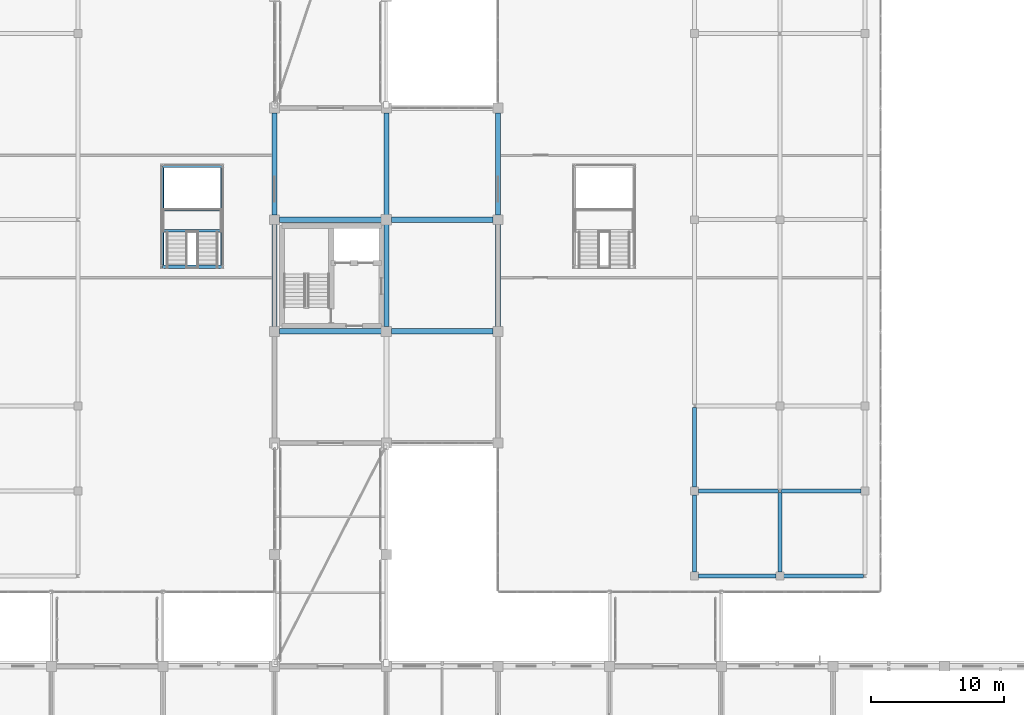
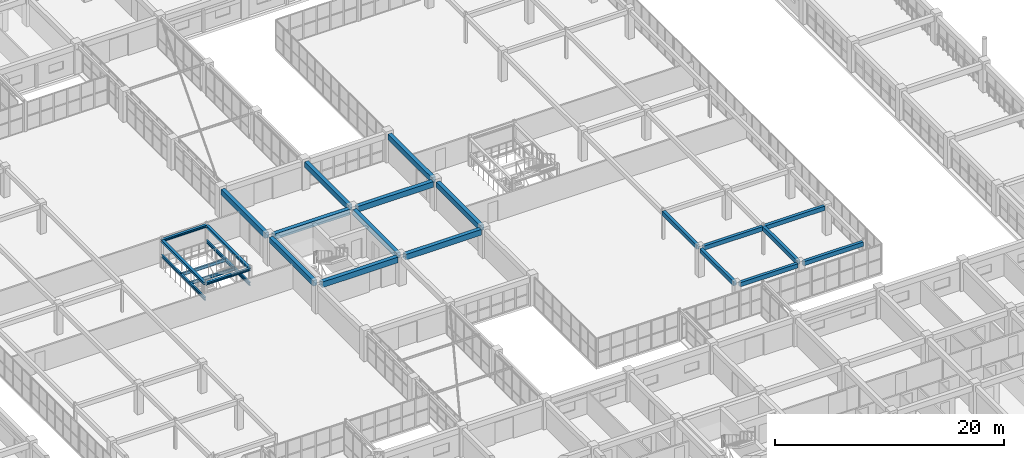
# One storey, part 68 of 200: 25 beams.
"""IFC4 building model written with IfcOpenShell, lengths in metres."""

from ifc_helpers import new_model, si_unit, direction, frame, origin, origin_2d, place, context, subcontext, project, spatial, rectangle, i_section, extrude, material, material_profile, profile_set, type_object, element, save


model = new_model("IFC4")

# Units and contexts
model_context = context("Model", 3, precision=1e-05, world=origin(), true_north=direction((0.0, 1.0)))
body_context = subcontext(model_context, "Body", "Model", "MODEL_VIEW")
ifc_project = project(units=[si_unit("LENGTHUNIT", "METRE"), si_unit("AREAUNIT", "SQUARE_METRE"), si_unit("VOLUMEUNIT", "CUBIC_METRE"), si_unit("PLANEANGLEUNIT", "RADIAN"), si_unit("MASSUNIT", "GRAM", prefix="KILO")], contexts=[model_context])

# Site, building, storey
site_placement = place(None, origin())
site = spatial("IfcSite", under=ifc_project, at=site_placement, CompositionType="ELEMENT")
building_placement = place(site_placement, origin())
building = spatial("IfcBuilding", under=site, at=building_placement, Name="Trelvath General Hospital", CompositionType="ELEMENT")
storey_placement = place(building_placement, frame((0.0, 0.0, 4.800048828125)))
storey = spatial("IfcBuildingStorey", under=building, at=storey_placement, Name="L01", CompositionType="ELEMENT", Elevation=4.800048828125)

# Beams
ifc_material_1 = material(Name="Concrete C35/45", Category="concrete")
ifc_material_profile_1 = material_profile(ifc_material_1, rectangle(XDim=0.300048828125, YDim=0.449951171875, at=origin_2d()), Name="RCB300x450")
ifc_profile_set_1 = profile_set([ifc_material_profile_1], Name="Concrete C35/45")
beam_type_1 = type_object("IfcBeamType", Name="Beam RC300x450", PredefinedType="BEAM", material=ifc_profile_set_1)
beam_1_placement = place(storey_placement, frame((107.49609375, 32.0, 2.8349609375), z_axis=(1.0, 0.0, 0.0), x_axis=(0.0, 1.0, 0.0)))
element("IfcBeam", 1, at=beam_1_placement, inside=storey, type_object=beam_type_1, Name="Cube Interior Ring Beam CUBE-E-T0 L01", PredefinedType="BEAM", context=body_context, shape_type="SweptSolid", body=[
    extrude(rectangle(XDim=0.300048828125, YDim=0.449951171875, at=origin_2d()), origin(), (0.0, 0.0, 1.0), 5.807861328125),
])
beam_2_placement = place(storey_placement, frame((113.89599609375, 32.0, 2.8349609375), z_axis=(1.0, 0.0, 0.0), x_axis=(0.0, 1.0, 0.0)))
element("IfcBeam", 2, at=beam_2_placement, inside=storey, type_object=beam_type_1, Name="Cube Interior Ring Beam CUBE-E-T0 L01", PredefinedType="BEAM", context=body_context, shape_type="SweptSolid", body=[
    extrude(rectangle(XDim=0.300048828125, YDim=0.449951171875, at=origin_2d()), origin(), (0.0, 0.0, 1.0), 5.998046875),
])
beam_3_placement = place(storey_placement, frame((107.49609375, 38.39990234375, 2.8349609375), z_axis=(1.0, 0.0, 0.0), x_axis=(0.0, 1.0, 0.0)))
element("IfcBeam", 3, at=beam_3_placement, inside=storey, type_object=beam_type_1, Name="Cube Interior Ring Beam CUBE-E-T0 L01", PredefinedType="BEAM", context=body_context, shape_type="SweptSolid", body=[
    extrude(rectangle(XDim=0.300048828125, YDim=0.449951171875, at=origin_2d()), origin(), (0.0, 0.0, 1.0), 5.997802734375),
])
beam_4_placement = place(storey_placement, frame((113.7060546875, 38.39990234375, 2.8349609375), z_axis=(1.0, 0.0, 0.0), x_axis=(0.0, 1.0, 0.0)))
element("IfcBeam", 4, at=beam_4_placement, inside=storey, type_object=beam_type_1, Name="Cube Interior Ring Beam CUBE-E-T0 L01", PredefinedType="BEAM", context=body_context, shape_type="SweptSolid", body=[
    extrude(rectangle(XDim=0.300048828125, YDim=0.449951171875, at=origin_2d()), origin(), (0.0, 0.0, 1.0), 5.998046875),
])
beam_5_placement = place(storey_placement, frame((107.199951171875, 32.2958984375, 2.8349609375), z_axis=(0.0, 1.0, 0.0), x_axis=(-1.0, 0.0, 0.0)))
element("IfcBeam", 5, at=beam_5_placement, inside=storey, type_object=beam_type_1, Name="Cube Interior Ring Beam CUBE-E-T0 L01", PredefinedType="BEAM", context=body_context, shape_type="SweptSolid", body=[
    extrude(rectangle(XDim=0.300048828125, YDim=0.449951171875, at=origin_2d()), origin(), (0.0, 0.0, 1.0), 5.80810546875),
])
for number, where, z_axis, x_axis, name in (
    (6, (107.199951171875, 38.696044921875, 2.8349609375), (0.0, 1.0, 0.0), (-1.0, 0.0, 0.0), "Cube Interior Ring Beam CUBE-E-T0 L01"),
    (7, (113.60009765625, 32.2958984375, 2.8349609375), (0.0, 1.0, 0.0), (-1.0, 0.0, 0.0), "Cube Interior Ring Beam CUBE-E-T0 L01"),
):
    element("IfcBeam", number, at=place(storey_placement, frame(where, z_axis=z_axis, x_axis=x_axis)), inside=storey, type_object=beam_type_1, Name=name, PredefinedType="BEAM", context=body_context, shape_type="SweptSolid", body=[
        extrude(rectangle(XDim=0.300048828125, YDim=0.449951171875, at=origin_2d()), origin(), (0.0, 0.0, 1.0), 5.998046875),
    ])
ifc_material_2 = material(Name="Concrete C35/45", Category="concrete")
ifc_material_profile_2 = material_profile(ifc_material_2, rectangle(XDim=0.3798828125, YDim=0.580078125, at=origin_2d()), Name="RCB380x580")
ifc_profile_set_2 = profile_set([ifc_material_profile_2], Name="Concrete C35/45")
beam_type_2 = type_object("IfcBeamType", Name="Beam RC380x580", PredefinedType="BEAM", material=ifc_profile_set_2)
beam_6_placement = place(storey_placement, frame((75.60009765625, 50.77001953125, 2.72998046875), z_axis=(0.0, 1.0, 0.0), x_axis=(-1.0, 0.0, 0.0)))
element("IfcBeam", 8, at=beam_6_placement, inside=storey, type_object=beam_type_2, Name="Grid Beam BY-109G", PredefinedType="BEAM", context=body_context, shape_type="SweptSolid", body=[
    extrude(rectangle(XDim=0.3798828125, YDim=0.580078125, at=origin_2d()), origin(), (0.0, 0.0, 1.0), 7.659912109375),
])
beam_7_placement = place(storey_placement, frame((75.60009765625, 59.169921875, 2.72998046875), z_axis=(0.0, 1.0, 0.0), x_axis=(-1.0, 0.0, 0.0)))
element("IfcBeam", 9, at=beam_7_placement, inside=storey, type_object=beam_type_2, Name="Grid Beam BY-109H", PredefinedType="BEAM", context=body_context, shape_type="SweptSolid", body=[
    extrude(rectangle(XDim=0.3798828125, YDim=0.580078125, at=origin_2d()), origin(), (0.0, 0.0, 1.0), 7.66015625),
])
beam_8_placement = place(storey_placement, frame((84.0, 50.77490234375, 2.72998046875), z_axis=(0.0, 1.0, 0.0), x_axis=(-1.0, 0.0, 0.0)))
element("IfcBeam", 10, at=beam_8_placement, inside=storey, type_object=beam_type_2, Name="Grid Beam BY-110G", PredefinedType="BEAM", context=body_context, shape_type="SweptSolid", body=[
    extrude(rectangle(XDim=0.3798828125, YDim=0.580078125, at=origin_2d()), origin(), (0.0, 0.0, 1.0), 7.650146484375),
])
beam_9_placement = place(storey_placement, frame((84.0, 59.175048828125, 2.72998046875), z_axis=(0.0, 1.0, 0.0), x_axis=(-1.0, 0.0, 0.0)))
element("IfcBeam", 11, at=beam_9_placement, inside=storey, type_object=beam_type_2, Name="Grid Beam BY-110H", PredefinedType="BEAM", context=body_context, shape_type="SweptSolid", body=[
    extrude(rectangle(XDim=0.3798828125, YDim=0.580078125, at=origin_2d()), origin(), (0.0, 0.0, 1.0), 7.655029296875),
])
beam_10_placement = place(storey_placement, frame((92.39990234375, 50.77001953125, 2.72998046875), z_axis=(0.0, 1.0, 0.0), x_axis=(-1.0, 0.0, 0.0)))
element("IfcBeam", 12, at=beam_10_placement, inside=storey, type_object=beam_type_2, Name="Grid Beam BY-111G", PredefinedType="BEAM", context=body_context, shape_type="SweptSolid", body=[
    extrude(rectangle(XDim=0.3798828125, YDim=0.580078125, at=origin_2d()), origin(), (0.0, 0.0, 1.0), 7.659912109375),
])
beam_11_placement = place(storey_placement, frame((92.39990234375, 59.169921875, 2.72998046875), z_axis=(0.0, 1.0, 0.0), x_axis=(-1.0, 0.0, 0.0)))
element("IfcBeam", 13, at=beam_11_placement, inside=storey, type_object=beam_type_2, Name="Grid Beam BY-111H", PredefinedType="BEAM", context=body_context, shape_type="SweptSolid", body=[
    extrude(rectangle(XDim=0.3798828125, YDim=0.580078125, at=origin_2d()), origin(), (0.0, 0.0, 1.0), 7.66015625),
])
ifc_material_3 = material(Name="Concrete C35/45", Category="concrete")
ifc_material_profile_3 = material_profile(ifc_material_3, rectangle(XDim=0.39990234375, YDim=0.60009765625, at=origin_2d()), Name="RCB400x600")
ifc_profile_set_3 = profile_set([ifc_material_profile_3], Name="Concrete C35/45")
beam_type_3 = type_object("IfcBeamType", Name="Beam RC400x600", PredefinedType="BEAM", material=ifc_profile_set_3)
for number, where, z_axis, x_axis, name in (
    (14, (75.969970703125, 50.39990234375, 2.719970703125), (1.0, 0.0, 0.0), (0.0, 1.0, 0.0), "Grid Beam BX-109G"),
    (15, (75.969970703125, 58.800048828125, 2.719970703125), (1.0, 0.0, 0.0), (0.0, 1.0, 0.0), "Grid Beam BX-109H"),
    (16, (84.375, 50.39990234375, 2.719970703125), (1.0, 0.0, 0.0), (0.0, 1.0, 0.0), "Grid Beam BX-110G"),
    (17, (84.375, 58.800048828125, 2.719970703125), (1.0, 0.0, 0.0), (0.0, 1.0, 0.0), "Grid Beam BX-110H"),
):
    element("IfcBeam", number, at=place(storey_placement, frame(where, z_axis=z_axis, x_axis=x_axis)), inside=storey, type_object=beam_type_3, Name=name, PredefinedType="BEAM", context=body_context, shape_type="SweptSolid", body=[
        extrude(rectangle(XDim=0.39990234375, YDim=0.60009765625, at=origin_2d()), origin(), (0.0, 0.0, 1.0), 7.655029296875),
    ])
ifc_material_4 = material(Name="Steel S355", Category="steel")
ifc_material_profile_4 = material_profile(ifc_material_4, i_section(OverallWidth=0.260009765625, OverallDepth=0.25, WebThickness=0.007568359375, FlangeThickness=0.012451171875, at=origin_2d()), Name="HEA260")
ifc_profile_set_4 = profile_set([ifc_material_profile_4], Name="Steel S355")
beam_type_4 = type_object("IfcBeamType", Name="RingBeam HEA260", PredefinedType="BEAM", material=ifc_profile_set_4)
for number, where, z_axis, x_axis, name in (
    (18, (67.14990234375, 55.25, 2.9150390625), (1.0, 0.0, 0.0), (0.0, 1.0, 0.0), "Atrium Ring Beam CUBE-W S L01"),
    (19, (67.14990234375, 62.85009765625, 2.9150390625), (1.0, 0.0, 0.0), (0.0, 1.0, 0.0), "Atrium Ring Beam CUBE-W N L01"),
):
    element("IfcBeam", number, at=place(storey_placement, frame(where, z_axis=z_axis, x_axis=x_axis)), inside=storey, type_object=beam_type_4, Name=name, PredefinedType="BEAM", context=body_context, shape_type="SweptSolid", body=[
        extrude(i_section(OverallWidth=0.260009765625, OverallDepth=0.25, WebThickness=0.007568359375, FlangeThickness=0.012451171875, at=origin_2d()), origin(), (0.0, 0.0, 1.0), 4.5),
    ])
for number, where, z_axis, x_axis, name in (
    (20, (67.14990234375, 55.25, 2.9150390625), (0.0, 1.0, 0.0), (-1.0, 0.0, 0.0), "Atrium Ring Beam CUBE-W W L01"),
    (21, (71.64990234375, 55.25, 2.9150390625), (0.0, 1.0, 0.0), (-1.0, 0.0, 0.0), "Atrium Ring Beam CUBE-W E L01"),
):
    element("IfcBeam", number, at=place(storey_placement, frame(where, z_axis=z_axis, x_axis=x_axis)), inside=storey, type_object=beam_type_4, Name=name, PredefinedType="BEAM", context=body_context, shape_type="SweptSolid", body=[
        extrude(i_section(OverallWidth=0.260009765625, OverallDepth=0.25, WebThickness=0.007568359375, FlangeThickness=0.012451171875, at=origin_2d()), origin(), (0.0, 0.0, 1.0), 7.60009765625),
    ])
ifc_material_5 = material(Name="Steel S355", Category="steel")
ifc_material_profile_5 = material_profile(ifc_material_5, i_section(OverallWidth=0.159912109375, OverallDepth=0.330078125, WebThickness=0.007568359375, FlangeThickness=0.011474609375, at=origin_2d()), Name="IPE330")
ifc_profile_set_5 = profile_set([ifc_material_profile_5], Name="Steel S355")
beam_type_5 = type_object("IfcBeamType", Name="StairLandingBeam IPE330", PredefinedType="BEAM", material=ifc_profile_set_5)
for number, where, z_axis, x_axis, name in (
    (22, (67.14990234375, 55.25, 1.284912109375), (0.0, 1.0, 0.0), (-1.0, 0.0, 0.0), "Cube Stair Stringer Beam CUBE-W W L01"),
    (23, (71.64990234375, 55.25, 1.284912109375), (0.0, 1.0, 0.0), (-1.0, 0.0, 0.0), "Cube Stair Stringer Beam CUBE-W E L01"),
):
    element("IfcBeam", number, at=place(storey_placement, frame(where, z_axis=z_axis, x_axis=x_axis)), inside=storey, type_object=beam_type_5, Name=name, PredefinedType="BEAM", context=body_context, shape_type="SweptSolid", body=[
        extrude(i_section(OverallWidth=0.159912109375, OverallDepth=0.330078125, WebThickness=0.007568359375, FlangeThickness=0.011474609375, at=origin_2d()), origin(), (0.0, 0.0, 1.0), 7.60009765625),
    ])
for number, where, z_axis, x_axis, name in (
    (24, (67.14990234375, 57.969970703125, 1.284912109375), (1.0, 0.0, 0.0), (0.0, 1.0, 0.0), "Cube Landing Cross Beam CUBE-W S L01"),
    (25, (67.14990234375, 59.52001953125, 1.284912109375), (1.0, 0.0, 0.0), (0.0, 1.0, 0.0), "Cube Landing Cross Beam CUBE-W N L01"),
):
    element("IfcBeam", number, at=place(storey_placement, frame(where, z_axis=z_axis, x_axis=x_axis)), inside=storey, type_object=beam_type_5, Name=name, PredefinedType="BEAM", context=body_context, shape_type="SweptSolid", body=[
        extrude(i_section(OverallWidth=0.159912109375, OverallDepth=0.330078125, WebThickness=0.007568359375, FlangeThickness=0.011474609375, at=origin_2d()), origin(), (0.0, 0.0, 1.0), 4.5),
    ])

save(model, "model.ifc")
